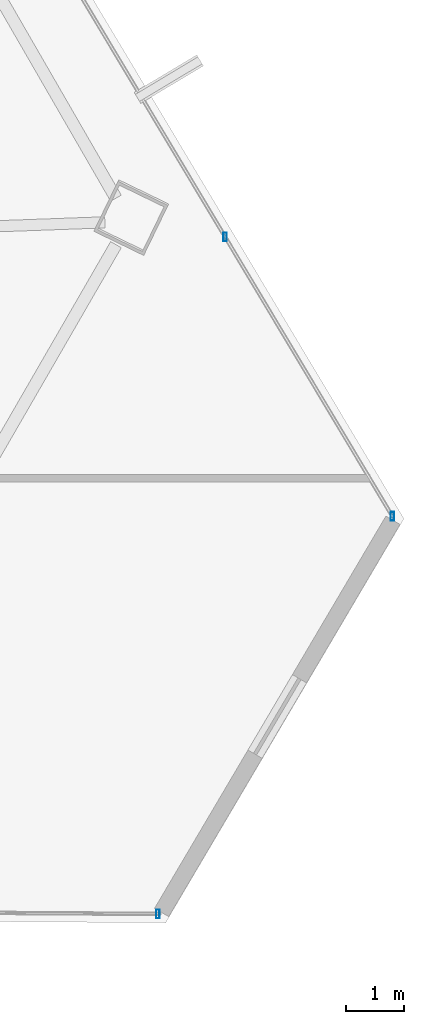
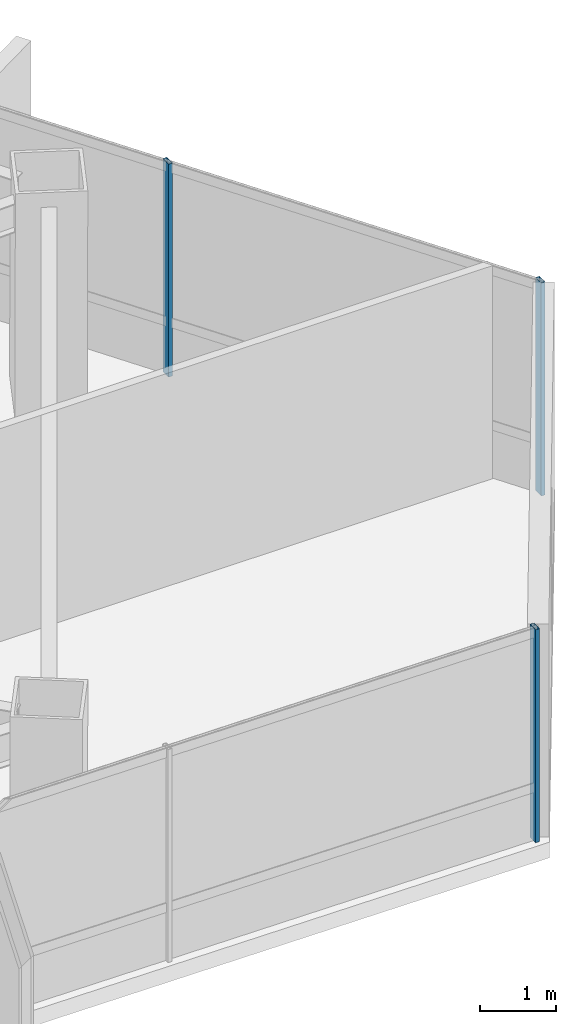
# One storey, part 21 of 41: 3 members, 2 elements without a shape of their own.
"""IFC4 building model written with IfcOpenShell, lengths in metres."""

from ifc_helpers import new_model, si_unit, direction, frame, origin, origin_2d, place, context, subcontext, project, spatial, hollow_rectangle, extrude, source, transform, mapped, material, material_profile, profile_set, type_object, type_shapes, element, aggregate, save


model = new_model("IFC4")

# Units and contexts
model_context = context("Model", 3, precision=1e-05, world=origin(), true_north=direction((0.0, 1.0)))
body_context = subcontext(model_context, "Body", "Model", "MODEL_VIEW")
ifc_project = project(units=[si_unit("LENGTHUNIT", "METRE"), si_unit("AREAUNIT", "SQUARE_METRE"), si_unit("VOLUMEUNIT", "CUBIC_METRE"), si_unit("PLANEANGLEUNIT", "RADIAN"), si_unit("MASSUNIT", "GRAM", prefix="KILO")], contexts=[model_context])

# Site, building, storey
site_placement = place(None, origin())
site = spatial("IfcSite", under=ifc_project, at=site_placement, CompositionType="ELEMENT")
building_placement = place(site_placement, origin())
building = spatial("IfcBuilding", under=site, at=building_placement, Name="Caelisora Broadcast Tower", CompositionType="ELEMENT")
storey_placement = place(building_placement, frame((0.0, 0.0, 162.14990234375)))
storey = spatial("IfcBuildingStorey", under=building, at=storey_placement, Name="L42", CompositionType="ELEMENT", Elevation=162.14990234375)

# Curtain wall, members
ifc_material_1 = material(Name="Unitised Aluminium and Low-E Glass Curtain Wall", Category="glass")
curtain_wall_type = type_object("IfcCurtainWallType", Name="CW-Z3", PredefinedType="NOTDEFINED", material=ifc_material_1)
curtain_wall_1_placement = place(storey_placement, origin())
curtain_wall_1 = element("IfcCurtainWall", 1, at=curtain_wall_1_placement, inside=storey, type_object=curtain_wall_type, Name="L42 curtain wall CW-Z3", PredefinedType="NOTDEFINED")
ifc_material_2 = material(Name="Aluminium 6063-T6 Anodised Terracotta Bronze", Category="aluminium")
ifc_material_profile = material_profile(ifc_material_2, hollow_rectangle(XDim=0.06005859375, YDim=0.14990234375, WallThickness=0.00341796875, at=origin_2d()), Name="Aluminium 6063-T6 Anodised Terracotta Bronze")
ifc_profile_set = profile_set([ifc_material_profile], Name="Aluminium 6063-T6 Anodised Terracotta Bronze")
member_type = type_object("IfcMemberType", Name="CWM-03", PredefinedType="MULLION", material=ifc_profile_set)
shared_shape = source(origin(), body_context, "Body", "SweptSolid", [
    extrude(hollow_rectangle(XDim=0.06005859375, YDim=0.14990234375, WallThickness=0.00341796875, at=origin_2d()), origin(), (0.0, 0.0, 1.0), 3.400146484375),
])
type_shapes(member_type, [shared_shape])
member_1_placement = place(storey_placement, frame((62.144287109375, 17.681640625, 0.0), z_axis=(0.0, 0.0, 1.0), x_axis=(1.0, 0.0, 0.0)))
member_1 = element("IfcMember", 2, at=member_1_placement, type_object=member_type, Name="L42-CW-B03 mullion #2", PredefinedType="MULLION", context=body_context, shape_type="MappedRepresentation", body=[
    mapped(shared_shape, transform((0.0, 0.0, 0.0), scale=1.0)),
])
member_2_placement = place(storey_placement, frame((65.00732421875, 12.89794921875, 0.0), z_axis=(0.0, 0.0, 1.0), x_axis=(1.0, 0.0, 0.0)))
member_2 = element("IfcMember", 3, at=member_2_placement, type_object=member_type, Name="L42-CW-B03 mullion #3", PredefinedType="MULLION", context=body_context, shape_type="MappedRepresentation", body=[
    mapped(shared_shape, transform((0.0, 0.0, 0.0), scale=1.0)),
])
aggregate(curtain_wall_1, [member_1, member_2])

# Curtain wall, member
curtain_wall_2_placement = place(storey_placement, origin())
curtain_wall_2 = element("IfcCurtainWall", 4, at=curtain_wall_2_placement, inside=storey, type_object=curtain_wall_type, Name="L42 curtain wall CW-Z3", PredefinedType="NOTDEFINED")
member_3_placement = place(storey_placement, frame((60.991943359375, 6.08837890625, 0.0), z_axis=(0.0, 0.0, 1.0), x_axis=(1.0, 0.0, 0.0)))
member_3 = element("IfcMember", 5, at=member_3_placement, type_object=member_type, Name="L42-CW-B05 mullion #0", PredefinedType="MULLION", context=body_context, shape_type="MappedRepresentation", body=[
    mapped(shared_shape, transform((0.0, 0.0, 0.0), scale=1.0)),
])
aggregate(curtain_wall_2, [member_3])

save(model, "model.ifc")
